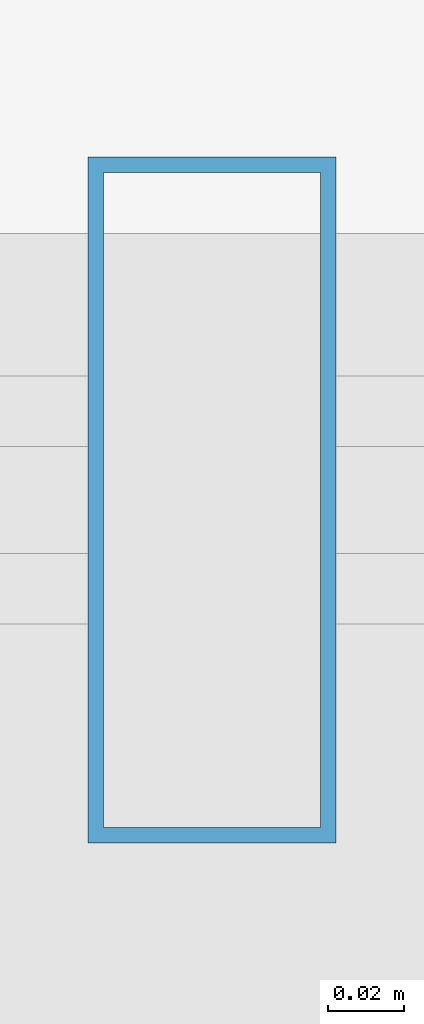
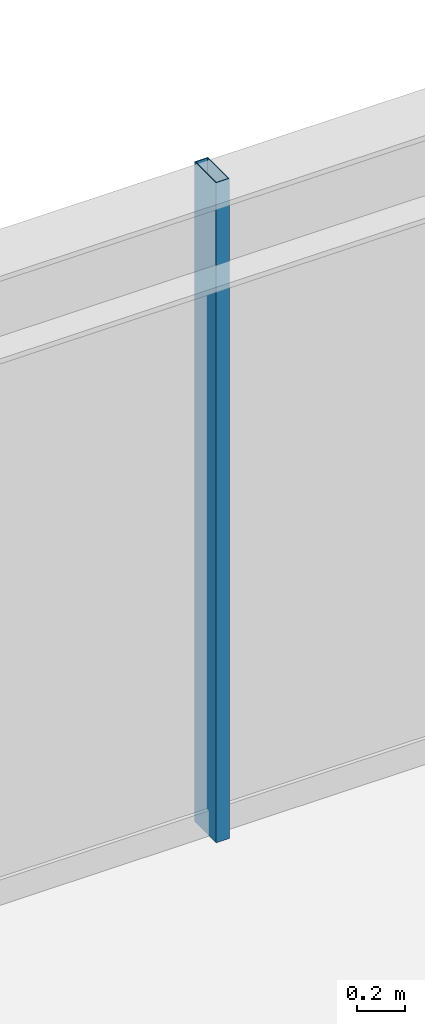
# One storey, part 19 of 31: 1 member, 1 element without a shape of its own.
"""IFC4 building model written with IfcOpenShell, lengths in metres."""

from ifc_helpers import new_model, si_unit, direction, frame, origin, origin_2d, place, context, subcontext, project, spatial, hollow_rectangle, extrude, source, transform, mapped, material, material_profile, profile_set, type_object, element, aggregate, save


model = new_model("IFC4")

# Units and contexts
model_context = context("Model", 3, precision=1e-05, world=origin(), true_north=direction((0.0, 1.0)))
body_context = subcontext(model_context, "Body", "Model", "MODEL_VIEW")
ifc_project = project(units=[si_unit("LENGTHUNIT", "METRE"), si_unit("AREAUNIT", "SQUARE_METRE"), si_unit("VOLUMEUNIT", "CUBIC_METRE"), si_unit("PLANEANGLEUNIT", "RADIAN"), si_unit("MASSUNIT", "GRAM", prefix="KILO")], contexts=[model_context])

# Site, building, storey
site_placement = place(None, origin())
site = spatial("IfcSite", under=ifc_project, at=site_placement, CompositionType="ELEMENT")
building_placement = place(site_placement, origin())
building = spatial("IfcBuilding", under=site, at=building_placement, Name="Nahalor Promenade Grand Hotel", CompositionType="ELEMENT")
storey_placement = place(building_placement, frame((0.0, 0.0, 192.800048828125)))
storey = spatial("IfcBuildingStorey", under=building, at=storey_placement, Name="L49", CompositionType="ELEMENT", Elevation=192.800048828125)

# Curtain wall, member
ifc_material = material(Name="Anodised Bronze Aluminium EN AW-6063 T6", Category="aluminium")
curtain_wall_type = type_object("IfcCurtainWallType", Name="CW2 Typical Hotel Flush Bronze Unitised Curtain Wall", PredefinedType="USERDEFINED", material=ifc_material)
curtain_wall_placement = place(storey_placement, origin())
curtain_wall = element("IfcCurtainWall", 1, at=curtain_wall_placement, inside=storey, type_object=curtain_wall_type, Name="L49 Curtain Wall CW-L49-N-1", ObjectType="UNITISED_CURTAIN_WALL", PredefinedType="USERDEFINED")
ifc_material_profile = material_profile(ifc_material, hollow_rectangle(XDim=0.065, YDim=0.18, WallThickness=0.004, at=origin_2d()), Name="CWM 65x180x4")
ifc_profile_set = profile_set([ifc_material_profile], Name="Anodised Bronze Aluminium EN AW-6063 T6")
member_type = type_object("IfcMemberType", Name="CWM2 Typical Bronze Mullion 65x180", PredefinedType="MULLION", material=ifc_profile_set)
shared_shape = source(origin(), body_context, "Body", "SweptSolid", [
    extrude(hollow_rectangle(XDim=0.065, YDim=0.18, WallThickness=0.004, at=origin_2d()), origin(), (0.0, 0.0, 1.0), 3.389892578125),
])
member_placement = place(storey_placement, frame((6.586669921875, 22.56005859375, 0.0), z_axis=(0.0, 0.0, 1.0), x_axis=(1.0, 0.0, 0.0)))
member = element("IfcMember", 2, at=member_placement, type_object=member_type, Name="CW-L49-N-1 Mullion 2", PredefinedType="MULLION", context=body_context, shape_type="MappedRepresentation", body=[
    mapped(shared_shape, transform((0.0, 0.0, 0.0), scale=1.0)),
])
aggregate(curtain_wall, [member])

save(model, "model.ifc")
